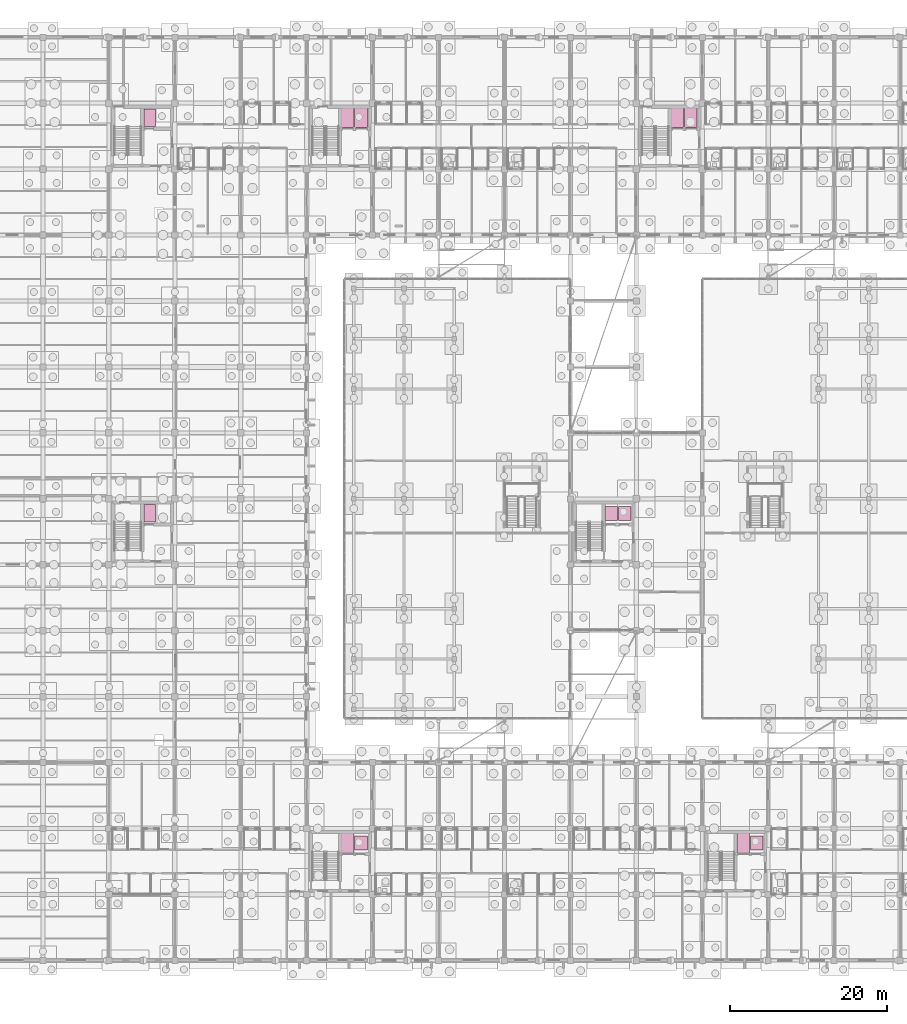
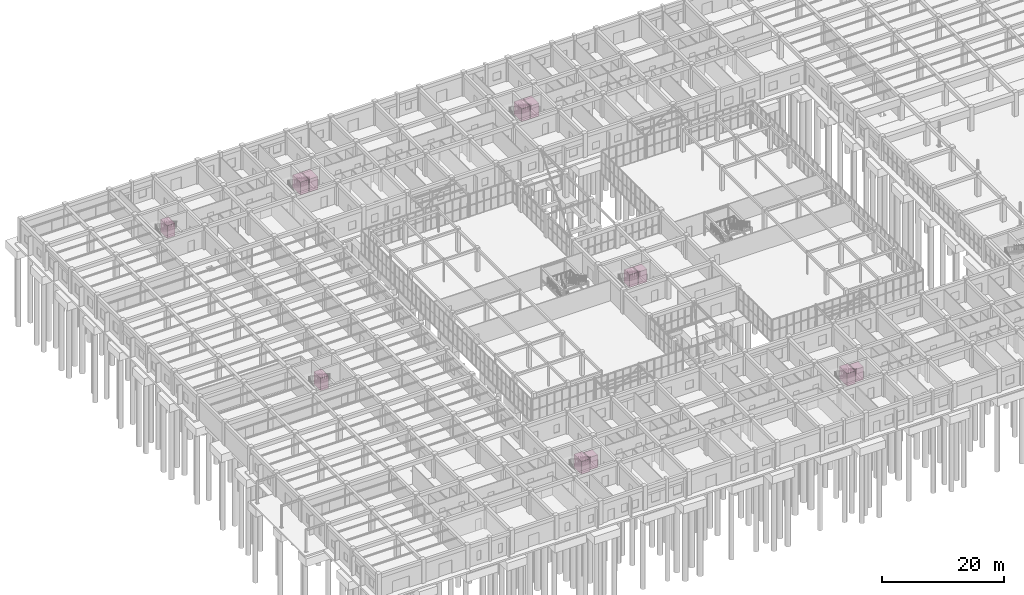
# One storey, part 192 of 192: 12 transport elements.
"""IFC4 building model written with IfcOpenShell, lengths in metres."""

from ifc_helpers import new_model, si_unit, direction, frame, origin, origin_2d, place, context, subcontext, project, spatial, rectangle, extrude, material, type_object, element, save


model = new_model("IFC4")

# Units and contexts
model_context = context("Model", 3, precision=1e-05, world=origin(), true_north=direction((0.0, 1.0)))
body_context = subcontext(model_context, "Body", "Model", "MODEL_VIEW")
ifc_project = project(units=[si_unit("LENGTHUNIT", "METRE"), si_unit("AREAUNIT", "SQUARE_METRE"), si_unit("VOLUMEUNIT", "CUBIC_METRE"), si_unit("PLANEANGLEUNIT", "RADIAN"), si_unit("MASSUNIT", "GRAM", prefix="KILO")], contexts=[model_context])

# Site, building, storey
site_placement = place(None, origin())
site = spatial("IfcSite", under=ifc_project, at=site_placement, CompositionType="ELEMENT")
building_placement = place(site_placement, origin())
building = spatial("IfcBuilding", under=site, at=building_placement, Name="Trelvath General Hospital", CompositionType="ELEMENT")
storey_placement = place(building_placement, origin())
storey = spatial("IfcBuildingStorey", under=building, at=storey_placement, Name="L00", CompositionType="ELEMENT", Elevation=0.0)

# Transport elements
ifc_material_1 = material(Name="Brushed stainless steel", Category="steel")
transport_element_type_1 = type_object("IfcTransportElementType", Name="Lift BedStretcher2000", PredefinedType="ELEVATOR", material=ifc_material_1)
for number, where, z_axis, x_axis, name in (
    (1, (48.919921875, 107.35009765625, 0.0), (0.0, 0.0, 1.0), (1.0, 0.0, 0.0), "Hospital Elevator LF-BD1"),
    (2, (90.919921875, 107.35009765625, 0.0), (0.0, 0.0, 1.0), (1.0, 0.0, 0.0), "Hospital Elevator LF-BD2"),
    (3, (47.199951171875, 14.949951171875, 0.0), (0.0, 0.0, 1.0), (1.0, 0.0, 0.0), "Hospital Elevator LF-BD3"),
    (4, (97.60009765625, 14.949951171875, 0.0), (0.0, 0.0, 1.0), (1.0, 0.0, 0.0), "Hospital Elevator LF-BD4"),
):
    element("IfcTransportElement", number, at=place(storey_placement, frame(where, z_axis=z_axis, x_axis=x_axis)), inside=storey, type_object=transport_element_type_1, Name=name, PredefinedType="ELEVATOR", context=body_context, shape_type="SweptSolid", body=[
        extrude(rectangle(XDim=1.60009765625, YDim=2.5, at=origin_2d()), origin(), (0.0, 0.0, 1.0), 2.550048828125),
    ])
ifc_material_2 = material(Name="Brushed stainless steel", Category="steel")
transport_element_type_2 = type_object("IfcTransportElementType", Name="Lift ClinicalService1600", PredefinedType="ELEVATOR", material=ifc_material_2)
for number, where, z_axis, x_axis, name in (
    (5, (22.0, 107.35009765625, 0.0), (0.0, 0.0, 1.0), (1.0, 0.0, 0.0), "Hospital Elevator LF-CL1"),
    (6, (22.0, 56.949951171875, 0.0), (0.0, 0.0, 1.0), (1.0, 0.0, 0.0), "Hospital Elevator LF-SL1"),
):
    element("IfcTransportElement", number, at=place(storey_placement, frame(where, z_axis=z_axis, x_axis=x_axis)), inside=storey, type_object=transport_element_type_2, Name=name, PredefinedType="ELEVATOR", context=body_context, shape_type="SweptSolid", body=[
        extrude(rectangle(XDim=1.5, YDim=2.199951171875, at=origin_2d()), origin(), (0.0, 0.0, 1.0), 2.550048828125),
    ])
ifc_material_3 = material(Name="Brushed stainless steel", Category="steel")
transport_element_type_3 = type_object("IfcTransportElementType", Name="Lift FireStretcher2000", PredefinedType="ELEVATOR", material=ifc_material_3)
for number, where, z_axis, x_axis, name in (
    (7, (47.199951171875, 107.35009765625, 0.0), (0.0, 0.0, 1.0), (1.0, 0.0, 0.0), "Hospital Elevator LF-FF1"),
    (8, (89.199951171875, 107.35009765625, 0.0), (0.0, 0.0, 1.0), (1.0, 0.0, 0.0), "Hospital Elevator LF-FF2"),
):
    element("IfcTransportElement", number, at=place(storey_placement, frame(where, z_axis=z_axis, x_axis=x_axis)), inside=storey, type_object=transport_element_type_3, Name=name, PredefinedType="ELEVATOR", context=body_context, shape_type="SweptSolid", body=[
        extrude(rectangle(XDim=1.60009765625, YDim=2.5, at=origin_2d()), origin(), (0.0, 0.0, 1.0), 2.550048828125),
    ])
ifc_material_4 = material(Name="Brushed stainless steel", Category="steel")
transport_element_type_4 = type_object("IfcTransportElementType", Name="Lift PublicPassenger1350", PredefinedType="ELEVATOR", material=ifc_material_4)
for number, where, z_axis, x_axis, name in (
    (9, (48.919921875, 14.949951171875, 0.0), (0.0, 0.0, 1.0), (1.0, 0.0, 0.0), "Hospital Elevator LF-PA1"),
    (10, (99.320068359375, 14.949951171875, 0.0), (0.0, 0.0, 1.0), (1.0, 0.0, 0.0), "Hospital Elevator LF-PA2"),
    (11, (80.800048828125, 56.949951171875, 0.0), (0.0, 0.0, 1.0), (1.0, 0.0, 0.0), "Hospital Elevator LF-PA3"),
    (12, (82.52001953125, 56.949951171875, 0.0), (0.0, 0.0, 1.0), (1.0, 0.0, 0.0), "Hospital Elevator LF-PA4"),
):
    element("IfcTransportElement", number, at=place(storey_placement, frame(where, z_axis=z_axis, x_axis=x_axis)), inside=storey, type_object=transport_element_type_4, Name=name, PredefinedType="ELEVATOR", context=body_context, shape_type="SweptSolid", body=[
        extrude(rectangle(XDim=1.60009765625, YDim=1.800048828125, at=origin_2d()), origin(), (0.0, 0.0, 1.0), 2.550048828125),
    ])

save(model, "model.ifc")
